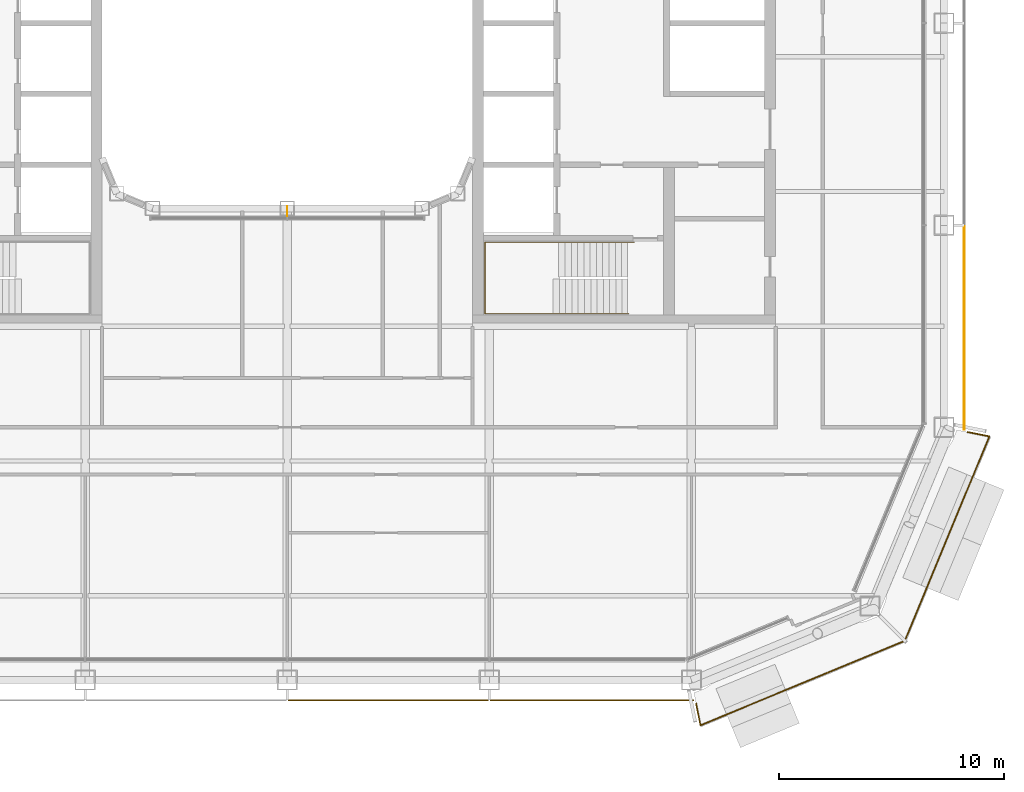
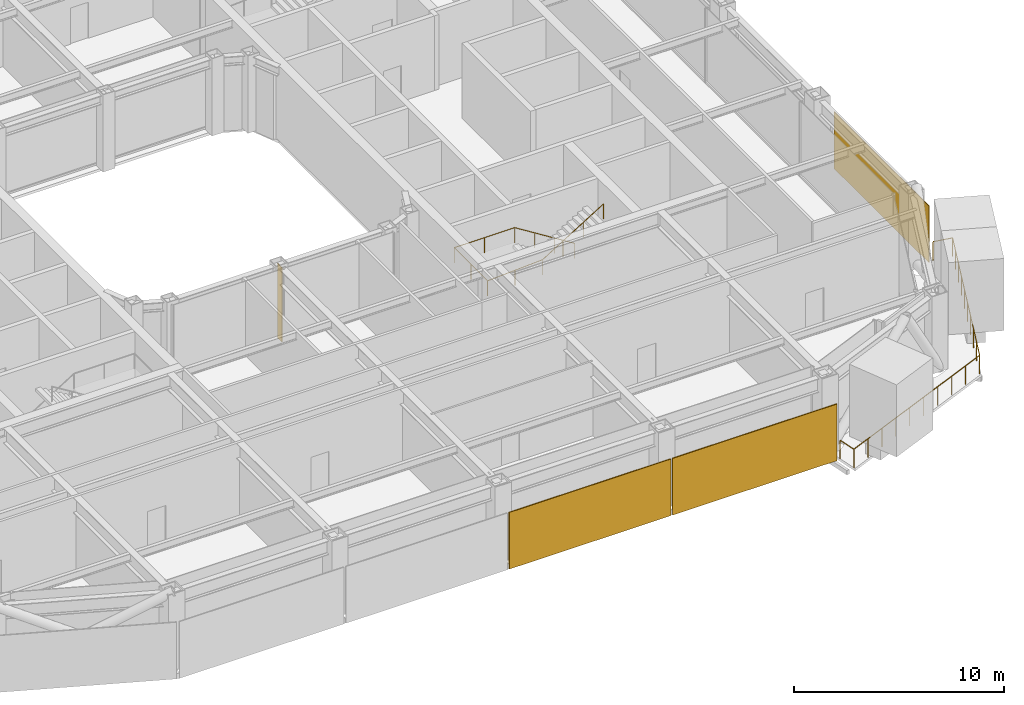
# One storey, part 19 of 23: 3 coverings, 2 railings, 1 shading device.
"""IFC4 building model written with IfcOpenShell, lengths in metres."""

from ifc_helpers import new_model, si_unit, direction, frame, origin, origin_2d, place, context, subcontext, project, spatial, rectangle, circle, extrude, material, layer, layer_set, type_object, element, save


model = new_model("IFC4")

# Units and contexts
model_context = context("Model", 3, precision=1e-05, world=origin(), true_north=direction((0.0, 1.0)))
body_context = subcontext(model_context, "Body", "Model", "MODEL_VIEW")
ifc_project = project(units=[si_unit("LENGTHUNIT", "METRE"), si_unit("AREAUNIT", "SQUARE_METRE"), si_unit("VOLUMEUNIT", "CUBIC_METRE"), si_unit("PLANEANGLEUNIT", "RADIAN"), si_unit("MASSUNIT", "GRAM", prefix="KILO")], contexts=[model_context])

# Site, building, storey
site_placement = place(None, origin())
site = spatial("IfcSite", under=ifc_project, at=site_placement, CompositionType="ELEMENT")
building_placement = place(site_placement, origin())
building = spatial("IfcBuilding", under=site, at=building_placement, Name="Siwar Civic Tower", CompositionType="ELEMENT")
storey_placement = place(building_placement, frame((0.0, 0.0, 163.199951171875)))
storey = spatial("IfcBuildingStorey", under=building, at=storey_placement, Name="L35", CompositionType="ELEMENT", Elevation=163.199951171875)

# Railing
ifc_material_1 = material(Name="Stainless steel", Category="steel")
railing_type_1 = type_object("IfcRailingType", Name="CORE-STAIR-HANDRAIL", PredefinedType="HANDRAIL", material=ifc_material_1)
railing_1_placement = place(storey_placement, frame((15.449951171875, -9.758056640625, 0.173095703125)))
element("IfcRailing", 1, at=railing_1_placement, inside=storey, type_object=railing_type_1, Name="Stair handrail ST4", PredefinedType="HANDRAIL", context=body_context, shape_type="SweptSolid", body=[
    extrude(circle(Radius=0.02001953125, at=origin_2d()), frame((0.0, 0.0, 0.8798828125), z_axis=(-0.847063342986, 0.0, 0.531491950051), x_axis=(0.0, -1.0, 0.0)), (0.0, 0.0, 1.0), 3.90771484375),
    extrude(circle(Radius=0.02001953125, at=origin_2d()), frame((-3.31005859375, 0.0, 2.956787109375), z_axis=(-1.0, 0.0, 0.0), x_axis=(0.0, -1.0, 0.0)), (0.0, 0.0, 1.0), 3.331787109375),
    extrude(circle(Radius=0.02001953125, at=origin_2d()), frame((-6.641845703125, 0.0, 2.956787109375), z_axis=(0.0, -1.0, 0.0), x_axis=(1.0, 0.0, 0.0)), (0.0, 0.0, 1.0), 3.183837890625),
    extrude(circle(Radius=0.02001953125, at=origin_2d()), frame((-6.641845703125, -3.183837890625, 2.956787109375), z_axis=(0.99837434197, 0.0, 0.056997134106), x_axis=(0.0, 1.0, 0.0)), (0.0, 0.0, 1.0), 3.036865234375),
    extrude(circle(Radius=0.02001953125, at=origin_2d()), frame((-3.60986328125, -3.183837890625, 3.1298828125), z_axis=(0.850606129759, 0.0, 0.525803396734), x_axis=(0.0, 1.0, 0.0)), (0.0, 0.0, 1.0), 3.949951171875),
    extrude(circle(Radius=0.02001953125, at=origin_2d()), origin(), (0.0, 0.0, 1.0), 0.85986328125),
    extrude(circle(Radius=0.02001953125, at=origin_2d()), frame((-1.103271484375, 0.0, 0.6923828125)), (0.0, 0.0, 1.0), 0.85986328125),
    extrude(circle(Radius=0.02001953125, at=origin_2d()), frame((-2.206787109375, 0.0, 1.384521484375)), (0.0, 0.0, 1.0), 0.85986328125),
    extrude(circle(Radius=0.02001953125, at=origin_2d()), frame((-3.31005859375, 0.0, 2.076904296875)), (0.0, 0.0, 1.0), 0.85986328125),
    extrude(circle(Radius=0.02001953125, at=origin_2d()), frame((-4.97607421875, 0.0, 2.076904296875)), (0.0, 0.0, 1.0), 0.85986328125),
    extrude(circle(Radius=0.02001953125, at=origin_2d()), frame((-6.641845703125, 0.0, 2.076904296875)), (0.0, 0.0, 1.0), 0.85986328125),
    extrude(circle(Radius=0.02001953125, at=origin_2d()), frame((-6.641845703125, -1.591796875, 2.076904296875)), (0.0, 0.0, 1.0), 0.85986328125),
    extrude(circle(Radius=0.02001953125, at=origin_2d()), frame((-6.641845703125, -3.183837890625, 2.076904296875)), (0.0, 0.0, 1.0), 0.85986328125),
    extrude(circle(Radius=0.02001953125, at=origin_2d()), frame((-5.1259765625, -3.183837890625, 2.16357421875)), (0.0, 0.0, 1.0), 0.85986328125),
    extrude(circle(Radius=0.02001953125, at=origin_2d()), frame((-3.60986328125, -3.183837890625, 2.25)), (0.0, 0.0, 1.0), 0.85986328125),
    extrude(circle(Radius=0.02001953125, at=origin_2d()), frame((-2.489990234375, -3.183837890625, 2.9423828125)), (0.0, 0.0, 1.0), 0.85986328125),
    extrude(circle(Radius=0.02001953125, at=origin_2d()), frame((-1.369873046875, -3.183837890625, 3.634521484375)), (0.0, 0.0, 1.0), 0.85986328125),
    extrude(circle(Radius=0.02001953125, at=origin_2d()), frame((-0.25, -3.183837890625, 4.326904296875)), (0.0, 0.0, 1.0), 0.85986328125),
])

# Shading device
ifc_material_2 = material(Name="Aluminium 6063-T6", Category="aluminium")
ifc_layer_1 = layer(ifc_material_2, 0.02001953125)
ifc_layer_set_1 = layer_set([ifc_layer_1], Name="Aluminium 6063-T6")
shading_device_type = type_object("IfcShadingDeviceType", Name="ENV-FIN", PredefinedType="JALOUSIE", material=ifc_layer_set_1)
shading_device_placement = place(storey_placement, frame((0.0, -8.3701171875, 0.0), z_axis=(0.0, 0.0, 1.0), x_axis=(1.0, 0.0, 0.0)))
element("IfcShadingDevice", 2, at=shading_device_placement, inside=storey, type_object=shading_device_type, Name="SUNSHADE fin WS 1", PredefinedType="JALOUSIE", context=body_context, shape_type="SweptSolid", body=[
    extrude(rectangle(XDim=0.02001953125, YDim=0.449951171875, at=origin_2d()), origin(), (0.0, 0.0, 1.0), 4.35009765625),
])

# Railing
ifc_material_3 = material(Name="Stainless steel 316", Category="steel")
railing_type_2 = type_object("IfcRailingType", Name="ENV-GUARD", PredefinedType="GUARDRAIL", material=ifc_material_3)
railing_2_placement = place(storey_placement, frame((18.208251953125, -30.297119140625, 0.0)))
element("IfcRailing", 3, at=railing_2_placement, inside=storey, type_object=railing_type_2, Name="Balcony guard SE", PredefinedType="GUARDRAIL", context=body_context, shape_type="SweptSolid", body=[
    extrude(circle(Radius=0.02392578125, at=origin_2d()), frame((0.0, 0.0, 1.076171875), z_axis=(0.195123592472, -0.980778661911, 0.0), x_axis=(0.980778661911, 0.195123592472, 0.0)), (0.0, 0.0, 1.0), 0.993408203125),
    extrude(circle(Radius=0.02392578125, at=origin_2d()), frame((0.19384765625, -0.974365234375, 1.076171875), z_axis=(0.924056377406, 0.38225621169, 0.0), x_axis=(-0.38225621169, 0.924056377406, 0.0)), (0.0, 0.0, 1.0), 9.851806640625),
    extrude(circle(Radius=0.02392578125, at=origin_2d()), frame((9.29736328125, 2.79150390625, 1.076171875), z_axis=(0.38225621169, 0.924056377406, 0.0), x_axis=(-0.924056377406, 0.38225621169, 0.0)), (0.0, 0.0, 1.0), 9.851806640625),
    extrude(circle(Radius=0.02392578125, at=origin_2d()), frame((13.063232421875, 11.89501953125, 1.076171875), z_axis=(-0.980778661911, 0.195123592472, 0.0), x_axis=(-0.195123592472, -0.980778661911, 0.0)), (0.0, 0.0, 1.0), 0.993408203125),
    extrude(circle(Radius=0.02099609375, at=origin_2d()), origin(), (0.0, 0.0, 1.0), 1.052001953125),
    extrude(circle(Radius=0.02099609375, at=origin_2d()), frame((0.19384765625, -0.974365234375, 0.0)), (0.0, 0.0, 1.0), 1.052001953125),
    extrude(circle(Radius=0.02099609375, at=origin_2d()), frame((1.205322265625, -0.555908203125, 0.0)), (0.0, 0.0, 1.0), 1.052001953125),
    extrude(circle(Radius=0.02099609375, at=origin_2d()), frame((2.216796875, -0.137451171875, 0.0)), (0.0, 0.0, 1.0), 1.052001953125),
    extrude(circle(Radius=0.02099609375, at=origin_2d()), frame((3.228271484375, 0.281005859375, 0.0)), (0.0, 0.0, 1.0), 1.052001953125),
    extrude(circle(Radius=0.02099609375, at=origin_2d()), frame((4.23974609375, 0.699462890625, 0.0)), (0.0, 0.0, 1.0), 1.052001953125),
    extrude(circle(Radius=0.02099609375, at=origin_2d()), frame((5.25146484375, 1.11767578125, 0.0)), (0.0, 0.0, 1.0), 1.052001953125),
    extrude(circle(Radius=0.02099609375, at=origin_2d()), frame((6.262939453125, 1.5361328125, 0.0)), (0.0, 0.0, 1.0), 1.052001953125),
    extrude(circle(Radius=0.02099609375, at=origin_2d()), frame((7.2744140625, 1.95458984375, 0.0)), (0.0, 0.0, 1.0), 1.052001953125),
    extrude(circle(Radius=0.02099609375, at=origin_2d()), frame((8.285888671875, 2.373046875, 0.0)), (0.0, 0.0, 1.0), 1.052001953125),
    extrude(circle(Radius=0.02099609375, at=origin_2d()), frame((9.29736328125, 2.79150390625, 0.0)), (0.0, 0.0, 1.0), 1.052001953125),
    extrude(circle(Radius=0.02099609375, at=origin_2d()), frame((9.7158203125, 3.802978515625, 0.0)), (0.0, 0.0, 1.0), 1.052001953125),
    extrude(circle(Radius=0.02099609375, at=origin_2d()), frame((10.13427734375, 4.814453125, 0.0)), (0.0, 0.0, 1.0), 1.052001953125),
    extrude(circle(Radius=0.02099609375, at=origin_2d()), frame((10.552734375, 5.825927734375, 0.0)), (0.0, 0.0, 1.0), 1.052001953125),
    extrude(circle(Radius=0.02099609375, at=origin_2d()), frame((10.97119140625, 6.83740234375, 0.0)), (0.0, 0.0, 1.0), 1.052001953125),
    extrude(circle(Radius=0.02099609375, at=origin_2d()), frame((11.389404296875, 7.84912109375, 0.0)), (0.0, 0.0, 1.0), 1.052001953125),
    extrude(circle(Radius=0.02099609375, at=origin_2d()), frame((11.807861328125, 8.860595703125, 0.0)), (0.0, 0.0, 1.0), 1.052001953125),
    extrude(circle(Radius=0.02099609375, at=origin_2d()), frame((12.226318359375, 9.8720703125, 0.0)), (0.0, 0.0, 1.0), 1.052001953125),
    extrude(circle(Radius=0.02099609375, at=origin_2d()), frame((12.644775390625, 10.883544921875, 0.0)), (0.0, 0.0, 1.0), 1.052001953125),
    extrude(circle(Radius=0.02099609375, at=origin_2d()), frame((13.063232421875, 11.89501953125, 0.0)), (0.0, 0.0, 1.0), 1.052001953125),
    extrude(circle(Radius=0.02099609375, at=origin_2d()), frame((12.0888671875, 12.0888671875, 0.0)), (0.0, 0.0, 1.0), 1.052001953125),
])

# Coverings
ifc_material_4 = material(Name="Perforated aluminium cassette, pale metal", Category="aluminium")
ifc_layer_2 = layer(ifc_material_4, 0.0400390625)
ifc_layer_set_2 = layer_set([ifc_layer_2], Name="Perforated aluminium cassette, pale metal")
covering_type_1 = type_object("IfcCoveringType", Name="ENV-OUTER SKIN OS-1", PredefinedType="CLADDING", material=ifc_layer_set_2)
covering_1_placement = place(storey_placement, frame((30.14990234375, -13.57958984375, -0.14990234375), z_axis=(0.0, 0.0, 1.0), x_axis=(0.0, 1.0, 0.0)))
element("IfcCovering", 4, at=covering_1_placement, inside=storey, type_object=covering_type_1, Name="OUTER SKIN OS-1 E 1", PredefinedType="CLADDING", context=body_context, shape_type="SweptSolid", body=[
    extrude(rectangle(XDim=9.05908203125, YDim=0.0400390625, at=origin_2d()), origin(), (0.0, 0.0, 1.0), 3.300048828125),
])
ifc_material_5 = material(Name="Perforated aluminium cassette, pale metal", Category="aluminium")
ifc_layer_3 = layer(ifc_material_5, 0.054931640625)
ifc_layer_set_3 = layer_set([ifc_layer_3], Name="Perforated aluminium cassette, pale metal")
covering_type_2 = type_object("IfcCoveringType", Name="ENV-OUTER SKIN OS-4", PredefinedType="CLADDING", material=ifc_layer_set_3)
covering_2_placement = place(storey_placement, frame((4.5, -30.14990234375, -0.14990234375), z_axis=(0.0, 0.0, 1.0), x_axis=(1.0, 0.0, 0.0)))
element("IfcCovering", 5, at=covering_2_placement, inside=storey, type_object=covering_type_2, Name="OUTER SKIN OS-4 S 3", PredefinedType="CLADDING", context=body_context, shape_type="SweptSolid", body=[
    extrude(rectangle(XDim=8.89990234375, YDim=0.054931640625, at=origin_2d()), origin(), (0.0, 0.0, 1.0), 3.300048828125),
])
covering_3_placement = place(storey_placement, frame((13.57958984375, -30.14990234375, -0.14990234375), z_axis=(0.0, 0.0, 1.0), x_axis=(1.0, 0.0, 0.0)))
element("IfcCovering", 6, at=covering_3_placement, inside=storey, type_object=covering_type_2, Name="OUTER SKIN OS-4 S 4", PredefinedType="CLADDING", context=body_context, shape_type="SweptSolid", body=[
    extrude(rectangle(XDim=9.05908203125, YDim=0.054931640625, at=origin_2d()), origin(), (0.0, 0.0, 1.0), 3.300048828125),
])

save(model, "model.ifc")
